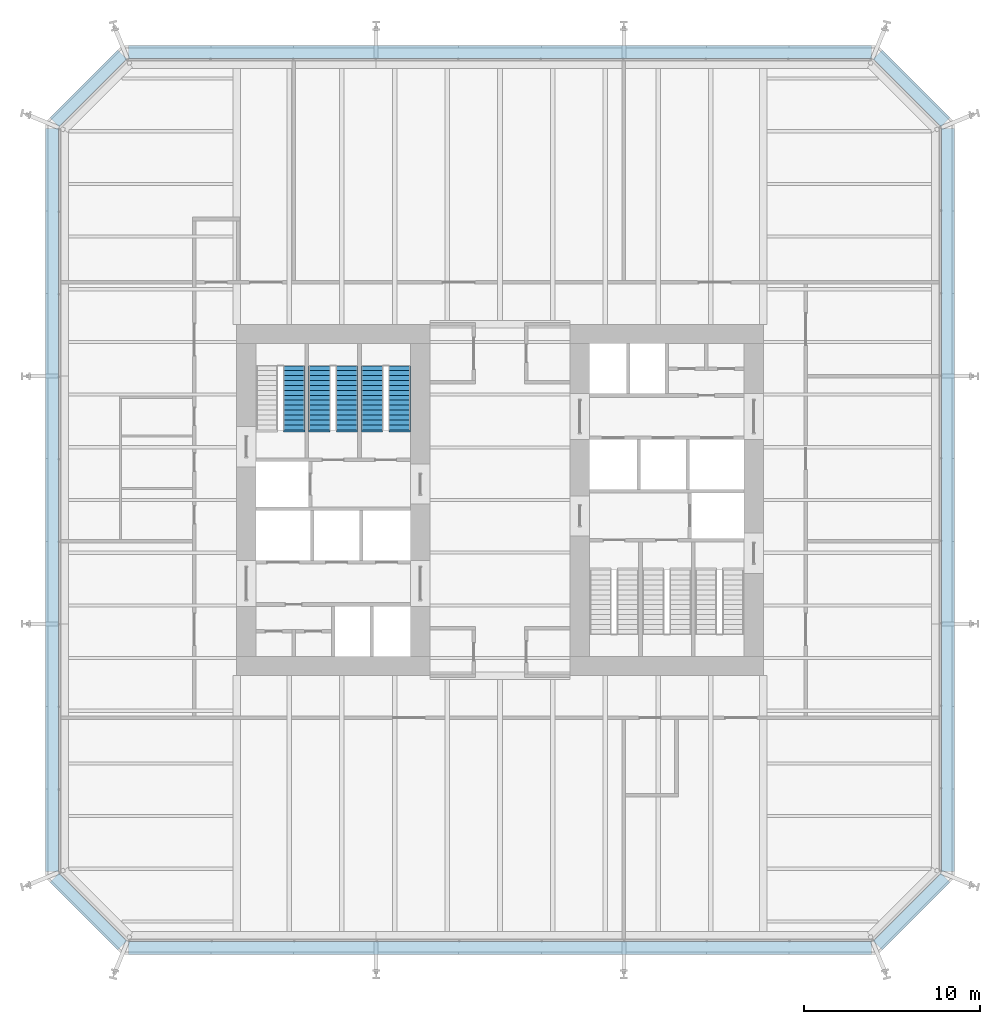
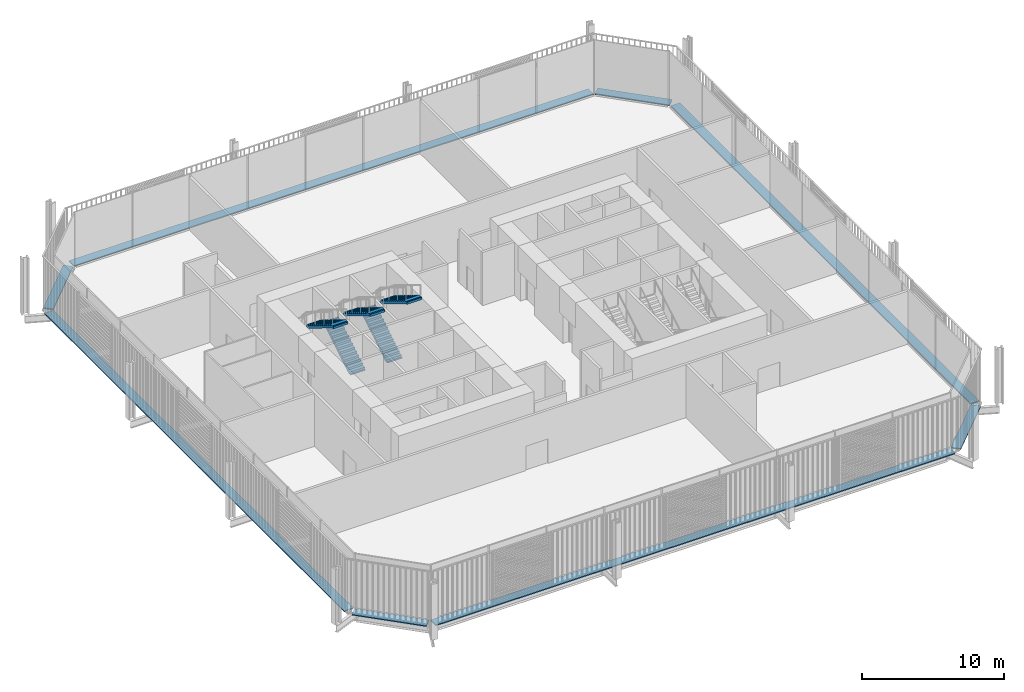
# One storey, part 21 of 22: 8 discrete accessories, 5 stair flights, 3 elements without a shape of their own.
"""IFC4 building model written with IfcOpenShell, lengths in metres."""

from ifc_helpers import new_model, si_unit, direction, frame, origin, origin_2d, place, context, subcontext, project, spatial, polyline, rectangle, outline, extrude, material, type_object, element, aggregate, save


model = new_model("IFC4")

# Units and contexts
model_context = context("Model", 3, precision=1e-05, world=origin(), true_north=direction((0.0, 1.0)))
body_context = subcontext(model_context, "Body", "Model", "MODEL_VIEW")
ifc_project = project(units=[si_unit("LENGTHUNIT", "METRE"), si_unit("AREAUNIT", "SQUARE_METRE"), si_unit("VOLUMEUNIT", "CUBIC_METRE"), si_unit("PLANEANGLEUNIT", "RADIAN"), si_unit("MASSUNIT", "GRAM", prefix="KILO")], contexts=[model_context])

# Site, building, storey
site_placement = place(None, origin())
site = spatial("IfcSite", under=ifc_project, at=site_placement, CompositionType="ELEMENT")
building_placement = place(site_placement, origin())
building = spatial("IfcBuilding", under=site, at=building_placement, Name="Millrace Tower", CompositionType="ELEMENT")
storey_placement = place(building_placement, frame((0.0, 0.0, 49.699951171875)))
storey = spatial("IfcBuildingStorey", under=building, at=storey_placement, Name="L11", CompositionType="ELEMENT", Elevation=49.699951171875)

# Stair, stair flight
ifc_material_1 = material(Name="Concrete C35", Category="concrete")
stair_type = type_object("IfcStairType", Name="Exit stair", PredefinedType="HALF_TURN_STAIR", material=ifc_material_1)
placement = place(storey_placement, origin())
stair_1 = element("IfcStair", 1, at=placement, inside=storey, type_object=stair_type, Name="Stair 1 W L11", PredefinedType="HALF_TURN_STAIR")
ifc_material_2 = material(Name="Concrete C35", Category="concrete")
stair_flight_type = type_object("IfcStairFlightType", Name="Exit stair flight", PredefinedType="STRAIGHT", material=ifc_material_2)
stair_flight_1_placement = place(storey_placement, frame((-11.7099609375, 7.639892578125, 2.400146484375), z_axis=(0.0, 0.0, 1.0), x_axis=(0.0, -1.0, 0.0)))
stair_flight_1 = element("IfcStairFlight", 2, at=stair_flight_1_placement, type_object=stair_flight_type, Name="ST12 flight 2", NumberOfRisers=14, NumberOfTreads=13, PredefinedType="STRAIGHT", RiserHeight=0.171428571, TreadLength=0.28, context=body_context, shape_type="SweptSolid", body=[
    extrude(outline(polyline([(-0.1201171875, -0.0400390625), (-0.1201171875, 0.0), (0.0, 0.0), (0.0, 0.17138671875), (0.280029296875, 0.17138671875), (0.280029296875, 0.3427734375), (0.56005859375, 0.3427734375), (0.56005859375, 0.514404296875), (0.840087890625, 0.514404296875), (0.840087890625, 0.685791015625), (1.1201171875, 0.685791015625), (1.1201171875, 0.857177734375), (1.39990234375, 0.857177734375), (1.39990234375, 1.028564453125), (1.679931640625, 1.028564453125), (1.679931640625, 1.199951171875), (1.9599609375, 1.199951171875), (1.9599609375, 1.371337890625), (2.239990234375, 1.371337890625), (2.239990234375, 1.54296875), (2.52001953125, 1.54296875), (2.52001953125, 1.71435546875), (2.800048828125, 1.71435546875), (2.800048828125, 1.8857421875), (3.080078125, 1.8857421875), (3.080078125, 2.05712890625), (3.360107421875, 2.05712890625), (3.360107421875, 2.228515625), (3.639892578125, 2.228515625), (3.639892578125, 2.24853515625), (3.760009765625, 2.24853515625), (3.760009765625, 2.052734375), (3.639892578125, 2.052734375), (0.287109375, 0.0), (0.287109375, -0.0400390625), (-0.1201171875, -0.0400390625)])), frame((0.0, 0.60986328125, 0.0), z_axis=(0.0, -1.0, 0.0), x_axis=(1.0, 0.0, 0.0)), (0.0, 0.0, 1.0), 1.219970703125),
])
aggregate(stair_1, [stair_flight_1])

# Stair, stair flights
stair_2 = element("IfcStair", 3, at=placement, inside=storey, type_object=stair_type, Name="Stair 2 W L11", PredefinedType="HALF_TURN_STAIR")
stair_flight_2_placement = place(storey_placement, frame((-10.2900390625, 4.0, 0.0), z_axis=(0.0, 0.0, 1.0), x_axis=(0.0, 1.0, 0.0)))
stair_flight_2 = element("IfcStairFlight", 4, at=stair_flight_2_placement, type_object=stair_flight_type, Name="ST12 flight 1", NumberOfRisers=14, NumberOfTreads=13, PredefinedType="STRAIGHT", RiserHeight=0.171428571, TreadLength=0.28, context=body_context, shape_type="SweptSolid", body=[
    extrude(outline(polyline([(-0.1201171875, -0.0400390625), (-0.1201171875, 0.0), (0.0, 0.0), (0.0, 0.17138671875), (0.280029296875, 0.17138671875), (0.280029296875, 0.3427734375), (0.56005859375, 0.3427734375), (0.56005859375, 0.514404296875), (0.840087890625, 0.514404296875), (0.840087890625, 0.685791015625), (1.1201171875, 0.685791015625), (1.1201171875, 0.857177734375), (1.39990234375, 0.857177734375), (1.39990234375, 1.028564453125), (1.679931640625, 1.028564453125), (1.679931640625, 1.199951171875), (1.9599609375, 1.199951171875), (1.9599609375, 1.371337890625), (2.239990234375, 1.371337890625), (2.239990234375, 1.54296875), (2.52001953125, 1.54296875), (2.52001953125, 1.71435546875), (2.800048828125, 1.71435546875), (2.800048828125, 1.8857421875), (3.080078125, 1.8857421875), (3.080078125, 2.05712890625), (3.360107421875, 2.05712890625), (3.360107421875, 2.228515625), (3.639892578125, 2.228515625), (3.639892578125, 2.24853515625), (3.760009765625, 2.24853515625), (3.760009765625, 2.052734375), (3.639892578125, 2.052734375), (0.287109375, 0.0), (0.287109375, -0.0400390625), (-0.1201171875, -0.0400390625)])), frame((0.0, 0.60986328125, 0.0), z_axis=(0.0, -1.0, 0.0), x_axis=(1.0, 0.0, 0.0)), (0.0, 0.0, 1.0), 1.219970703125),
])
stair_flight_3_placement = place(storey_placement, frame((-8.7099609375, 7.639892578125, 2.400146484375), z_axis=(0.0, 0.0, 1.0), x_axis=(0.0, -1.0, 0.0)))
stair_flight_3 = element("IfcStairFlight", 5, at=stair_flight_3_placement, type_object=stair_flight_type, Name="ST12 flight 2", NumberOfRisers=14, NumberOfTreads=13, PredefinedType="STRAIGHT", RiserHeight=0.171428571, TreadLength=0.28, context=body_context, shape_type="SweptSolid", body=[
    extrude(outline(polyline([(-0.1201171875, -0.0400390625), (-0.1201171875, 0.0), (0.0, 0.0), (0.0, 0.17138671875), (0.280029296875, 0.17138671875), (0.280029296875, 0.3427734375), (0.56005859375, 0.3427734375), (0.56005859375, 0.514404296875), (0.840087890625, 0.514404296875), (0.840087890625, 0.685791015625), (1.1201171875, 0.685791015625), (1.1201171875, 0.857177734375), (1.39990234375, 0.857177734375), (1.39990234375, 1.028564453125), (1.679931640625, 1.028564453125), (1.679931640625, 1.199951171875), (1.9599609375, 1.199951171875), (1.9599609375, 1.371337890625), (2.239990234375, 1.371337890625), (2.239990234375, 1.54296875), (2.52001953125, 1.54296875), (2.52001953125, 1.71435546875), (2.800048828125, 1.71435546875), (2.800048828125, 1.8857421875), (3.080078125, 1.8857421875), (3.080078125, 2.05712890625), (3.360107421875, 2.05712890625), (3.360107421875, 2.228515625), (3.639892578125, 2.228515625), (3.639892578125, 2.24853515625), (3.760009765625, 2.24853515625), (3.760009765625, 2.052734375), (3.639892578125, 2.052734375), (0.287109375, 0.0), (0.287109375, -0.0400390625), (-0.1201171875, -0.0400390625)])), frame((0.0, 0.60986328125, 0.0), z_axis=(0.0, -1.0, 0.0), x_axis=(1.0, 0.0, 0.0)), (0.0, 0.0, 1.0), 1.219970703125),
])
aggregate(stair_2, [stair_flight_2, stair_flight_3])

stair_3 = element("IfcStair", 6, at=placement, inside=storey, type_object=stair_type, Name="Stair 3 W L11", PredefinedType="HALF_TURN_STAIR")
stair_flight_4_placement = place(storey_placement, frame((-7.2900390625, 4.0, 0.0), z_axis=(0.0, 0.0, 1.0), x_axis=(0.0, 1.0, 0.0)))
stair_flight_4 = element("IfcStairFlight", 7, at=stair_flight_4_placement, type_object=stair_flight_type, Name="ST12 flight 1", NumberOfRisers=14, NumberOfTreads=13, PredefinedType="STRAIGHT", RiserHeight=0.171428571, TreadLength=0.28, context=body_context, shape_type="SweptSolid", body=[
    extrude(outline(polyline([(-0.1201171875, -0.0400390625), (-0.1201171875, 0.0), (0.0, 0.0), (0.0, 0.17138671875), (0.280029296875, 0.17138671875), (0.280029296875, 0.3427734375), (0.56005859375, 0.3427734375), (0.56005859375, 0.514404296875), (0.840087890625, 0.514404296875), (0.840087890625, 0.685791015625), (1.1201171875, 0.685791015625), (1.1201171875, 0.857177734375), (1.39990234375, 0.857177734375), (1.39990234375, 1.028564453125), (1.679931640625, 1.028564453125), (1.679931640625, 1.199951171875), (1.9599609375, 1.199951171875), (1.9599609375, 1.371337890625), (2.239990234375, 1.371337890625), (2.239990234375, 1.54296875), (2.52001953125, 1.54296875), (2.52001953125, 1.71435546875), (2.800048828125, 1.71435546875), (2.800048828125, 1.8857421875), (3.080078125, 1.8857421875), (3.080078125, 2.05712890625), (3.360107421875, 2.05712890625), (3.360107421875, 2.228515625), (3.639892578125, 2.228515625), (3.639892578125, 2.24853515625), (3.760009765625, 2.24853515625), (3.760009765625, 2.052734375), (3.639892578125, 2.052734375), (0.287109375, 0.0), (0.287109375, -0.0400390625), (-0.1201171875, -0.0400390625)])), frame((0.0, 0.60986328125, 0.0), z_axis=(0.0, -1.0, 0.0), x_axis=(1.0, 0.0, 0.0)), (0.0, 0.0, 1.0), 1.219970703125),
])
stair_flight_5_placement = place(storey_placement, frame((-5.7099609375, 7.639892578125, 2.400146484375), z_axis=(0.0, 0.0, 1.0), x_axis=(0.0, -1.0, 0.0)))
stair_flight_5 = element("IfcStairFlight", 8, at=stair_flight_5_placement, type_object=stair_flight_type, Name="ST12 flight 2", NumberOfRisers=14, NumberOfTreads=13, PredefinedType="STRAIGHT", RiserHeight=0.171428571, TreadLength=0.28, context=body_context, shape_type="SweptSolid", body=[
    extrude(outline(polyline([(-0.1201171875, -0.0400390625), (-0.1201171875, 0.0), (0.0, 0.0), (0.0, 0.17138671875), (0.280029296875, 0.17138671875), (0.280029296875, 0.3427734375), (0.56005859375, 0.3427734375), (0.56005859375, 0.514404296875), (0.840087890625, 0.514404296875), (0.840087890625, 0.685791015625), (1.1201171875, 0.685791015625), (1.1201171875, 0.857177734375), (1.39990234375, 0.857177734375), (1.39990234375, 1.028564453125), (1.679931640625, 1.028564453125), (1.679931640625, 1.199951171875), (1.9599609375, 1.199951171875), (1.9599609375, 1.371337890625), (2.239990234375, 1.371337890625), (2.239990234375, 1.54296875), (2.52001953125, 1.54296875), (2.52001953125, 1.71435546875), (2.800048828125, 1.71435546875), (2.800048828125, 1.8857421875), (3.080078125, 1.8857421875), (3.080078125, 2.05712890625), (3.360107421875, 2.05712890625), (3.360107421875, 2.228515625), (3.639892578125, 2.228515625), (3.639892578125, 2.24853515625), (3.760009765625, 2.24853515625), (3.760009765625, 2.052734375), (3.639892578125, 2.052734375), (0.287109375, 0.0), (0.287109375, -0.0400390625), (-0.1201171875, -0.0400390625)])), frame((0.0, 0.60986328125, 0.0), z_axis=(0.0, -1.0, 0.0), x_axis=(1.0, 0.0, 0.0)), (0.0, 0.0, 1.0), 1.219970703125),
])
aggregate(stair_3, [stair_flight_4, stair_flight_5])

# Discrete accessories
ifc_material_3 = material(Name="Stainless steel ASTM A240 type 316", Category="steel")
discrete_accessory_type = type_object("IfcDiscreteAccessoryType", Name="Thermally broken screen support rail", PredefinedType="BRACKET", material=ifc_material_3)
discrete_accessory_1_placement = place(storey_placement, frame((-23.435546875, -23.435546875, 0.0), z_axis=(0.0, 0.0, 1.0), x_axis=(0.707106781187, -0.707106781187, 0.0)))
element("IfcDiscreteAccessory", 9, at=discrete_accessory_1_placement, inside=storey, type_object=discrete_accessory_type, Name="Thermally broken screen support rail A-F01 L11 1", PredefinedType="BRACKET", context=body_context, shape_type="SweptSolid", body=[
    extrude(rectangle(XDim=5.44482421875, YDim=0.719970703125, at=origin_2d()), origin(), (0.0, 0.0, 1.0), 0.10009765625),
])
discrete_accessory_2_placement = place(storey_placement, frame((0.0, -25.510009765625, 0.0), z_axis=(0.0, 0.0, 1.0), x_axis=(1.0, 0.0, 0.0)))
element("IfcDiscreteAccessory", 10, at=discrete_accessory_2_placement, inside=storey, type_object=discrete_accessory_type, Name="Thermally broken screen support rail A-F02 L11 1", PredefinedType="BRACKET", context=body_context, shape_type="SweptSolid", body=[
    extrude(rectangle(XDim=42.300048828125, YDim=0.719970703125, at=origin_2d()), origin(), (0.0, 0.0, 1.0), 0.10009765625),
])
discrete_accessory_3_placement = place(storey_placement, frame((23.435546875, -23.435546875, 0.0), z_axis=(0.0, 0.0, 1.0), x_axis=(0.707106781187, 0.707106781187, 0.0)))
element("IfcDiscreteAccessory", 11, at=discrete_accessory_3_placement, inside=storey, type_object=discrete_accessory_type, Name="Thermally broken screen support rail A-F03 L11 1", PredefinedType="BRACKET", context=body_context, shape_type="SweptSolid", body=[
    extrude(rectangle(XDim=5.44482421875, YDim=0.719970703125, at=origin_2d()), origin(), (0.0, 0.0, 1.0), 0.10009765625),
])
discrete_accessory_4_placement = place(storey_placement, frame((25.510009765625, 0.0, 0.0), z_axis=(0.0, 0.0, 1.0), x_axis=(0.0, 1.0, 0.0)))
element("IfcDiscreteAccessory", 12, at=discrete_accessory_4_placement, inside=storey, type_object=discrete_accessory_type, Name="Thermally broken screen support rail A-F04 L11 1", PredefinedType="BRACKET", context=body_context, shape_type="SweptSolid", body=[
    extrude(rectangle(XDim=42.300048828125, YDim=0.719970703125, at=origin_2d()), origin(), (0.0, 0.0, 1.0), 0.10009765625),
])
discrete_accessory_5_placement = place(storey_placement, frame((23.435546875, 23.435546875, 0.0), z_axis=(0.0, 0.0, 1.0), x_axis=(-0.707106781187, 0.707106781187, 0.0)))
element("IfcDiscreteAccessory", 13, at=discrete_accessory_5_placement, inside=storey, type_object=discrete_accessory_type, Name="Thermally broken screen support rail A-F05 L11 1", PredefinedType="BRACKET", context=body_context, shape_type="SweptSolid", body=[
    extrude(rectangle(XDim=5.44482421875, YDim=0.719970703125, at=origin_2d()), origin(), (0.0, 0.0, 1.0), 0.10009765625),
])
discrete_accessory_6_placement = place(storey_placement, frame((0.0, 25.510009765625, 0.0), z_axis=(0.0, 0.0, 1.0), x_axis=(-1.0, 0.0, 0.0)))
element("IfcDiscreteAccessory", 14, at=discrete_accessory_6_placement, inside=storey, type_object=discrete_accessory_type, Name="Thermally broken screen support rail A-F06 L11 1", PredefinedType="BRACKET", context=body_context, shape_type="SweptSolid", body=[
    extrude(rectangle(XDim=42.300048828125, YDim=0.719970703125, at=origin_2d()), origin(), (0.0, 0.0, 1.0), 0.10009765625),
])
discrete_accessory_7_placement = place(storey_placement, frame((-23.435546875, 23.435546875, 0.0), z_axis=(0.0, 0.0, 1.0), x_axis=(-0.707106781187, -0.707106781187, 0.0)))
element("IfcDiscreteAccessory", 15, at=discrete_accessory_7_placement, inside=storey, type_object=discrete_accessory_type, Name="Thermally broken screen support rail A-F07 L11 1", PredefinedType="BRACKET", context=body_context, shape_type="SweptSolid", body=[
    extrude(rectangle(XDim=5.44482421875, YDim=0.719970703125, at=origin_2d()), origin(), (0.0, 0.0, 1.0), 0.10009765625),
])
discrete_accessory_8_placement = place(storey_placement, frame((-25.510009765625, 0.0, 0.0), z_axis=(0.0, 0.0, 1.0), x_axis=(0.0, -1.0, 0.0)))
element("IfcDiscreteAccessory", 16, at=discrete_accessory_8_placement, inside=storey, type_object=discrete_accessory_type, Name="Thermally broken screen support rail A-F08 L11 1", PredefinedType="BRACKET", context=body_context, shape_type="SweptSolid", body=[
    extrude(rectangle(XDim=42.300048828125, YDim=0.719970703125, at=origin_2d()), origin(), (0.0, 0.0, 1.0), 0.10009765625),
])

save(model, "model.ifc")
